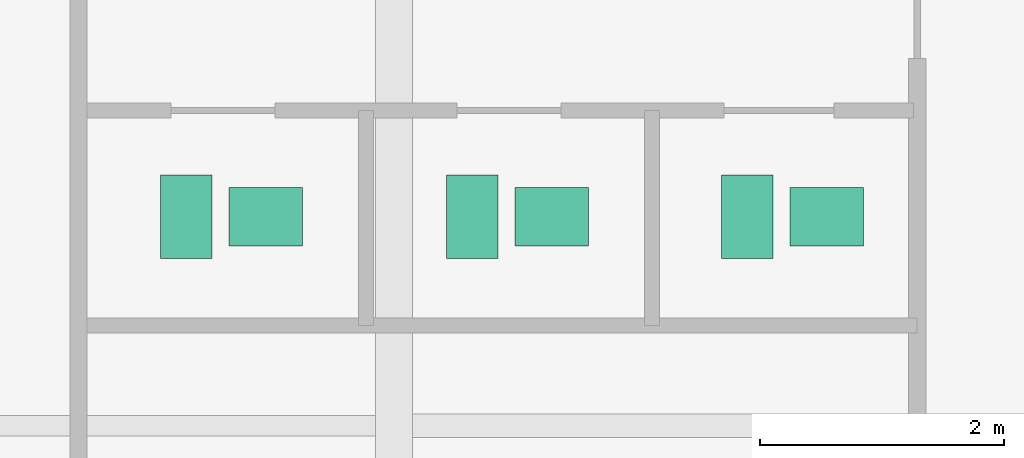
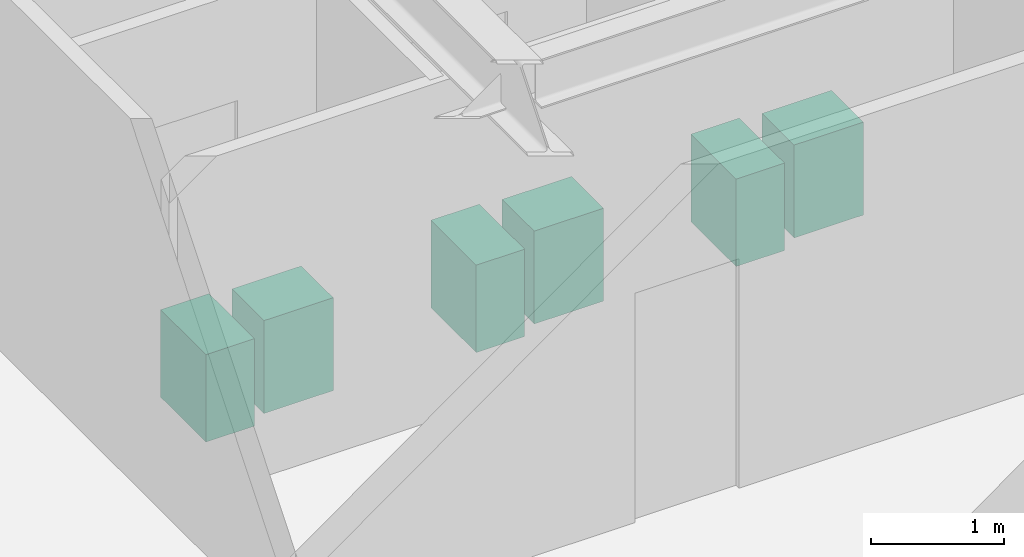
# One storey, part 24 of 24: 6 sanitary terminals.
"""IFC4 building model written with IfcOpenShell, lengths in metres."""

import ifcopenshell
import ifcopenshell.guid

model = None  # the IFC model being written
_history = None  # IfcOwnerHistory: only IFC2X3 demands one
_inside = {}  # id of a spatial element -> (the spatial element, [elements in it])
_under = {}  # id of a project, library or spatial element -> (it, [spatial elements below it])
_declared = {}  # id of a project -> (the project, [libraries it declares])
_typed = {}  # id of a type object -> (the type object, [elements of that type])
_made_of = {}  # id of a material, layer set ... -> (it, [elements and type objects made of it])


def new_model(schema):
    """Start an empty IFC model of exactly this schema.

    Asked for "IFC4X3", IfcOpenShell would pick the latest addendum, in which some entities
    have other attributes; the version numbers below select the first issue.
    IFC2X3 requires an IfcOwnerHistory on every rooted entity: one is made here for all.
    """
    global model, _history
    if schema == "IFC4X3":
        model = ifcopenshell.file(schema_version=(4, 3, 0, 0))
    else:
        model = ifcopenshell.file(schema=schema)
    _inside.clear()
    _under.clear()
    _declared.clear()
    _typed.clear()
    _made_of.clear()
    _history = None
    if model.schema == "IFC2X3":
        org = make("IfcOrganization", Name="unknown")
        user = make(
            "IfcPersonAndOrganization",
            ThePerson=make("IfcPerson", FamilyName="unknown"),
            TheOrganization=org,
        )
        app = make(
            "IfcApplication",
            ApplicationDeveloper=org,
            Version="unknown",
            ApplicationFullName="unknown",
            ApplicationIdentifier="unknown",
        )
        _history = make(
            "IfcOwnerHistory",
            OwningUser=user,
            OwningApplication=app,
            ChangeAction="ADDED",
            CreationDate=0,
        )
    return model


def make(cls, **values):
    """One entity of the class cls with the attributes given. An attribute that is None is left unset."""
    return model.create_entity(
        cls, **{name: value for name, value in values.items() if value is not None}
    )


def rooted(cls, **values):
    """An entity with a GlobalId (a new one), such as an element, a storey or a relation."""
    return make(cls, GlobalId=ifcopenshell.guid.new(), OwnerHistory=_history, **values)


def si_unit(unit_type, name, prefix=None):
    """IfcSIUnit, for example si_unit("LENGTHUNIT", "METRE", prefix="MILLI")."""
    return make("IfcSIUnit", UnitType=unit_type, Prefix=prefix, Name=name)


def assignment(units):
    """IfcUnitAssignment: the units of a project."""
    return None if units is None else make("IfcUnitAssignment", Units=units)


def point(xyz):
    """IfcCartesianPoint."""
    return None if xyz is None else make("IfcCartesianPoint", Coordinates=xyz)


def direction(xyz):
    """IfcDirection."""
    return None if xyz is None else make("IfcDirection", DirectionRatios=xyz)


def frame(location, z_axis=None, x_axis=None):
    """IfcAxis2Placement3D, a coordinate frame: its origin and axes. An axis left out is left unset."""
    return make(
        "IfcAxis2Placement3D",
        Location=point(location),
        Axis=direction(z_axis),
        RefDirection=direction(x_axis),
    )


def frame_2d(location, x_axis=None):
    """IfcAxis2Placement2D, a coordinate frame in the plane: its origin and x axis."""
    return make(
        "IfcAxis2Placement2D", Location=point(location), RefDirection=direction(x_axis)
    )


def origin():
    """The frame at (0, 0, 0) with its axes left unset."""
    return frame((0.0, 0.0, 0.0))


def origin_2d():
    """The frame at (0, 0) in the plane with its x axis left unset."""
    return frame_2d((0.0, 0.0))


def place(relative_to, where):
    """IfcLocalPlacement: puts the frame where relative to a parent placement (None: the world)."""
    return make(
        "IfcLocalPlacement", PlacementRelTo=relative_to, RelativePlacement=where
    )


def context(
    kind, dimensions, precision=None, world=None, true_north=None, identifier=None
):
    """IfcGeometricRepresentationContext, for example the 3D "Model" context."""
    return make(
        "IfcGeometricRepresentationContext",
        ContextIdentifier=identifier,
        ContextType=kind,
        CoordinateSpaceDimension=dimensions,
        Precision=precision,
        WorldCoordinateSystem=world,
        TrueNorth=true_north,
    )


def subcontext(parent, identifier, kind, view, scale=None):
    """IfcGeometricRepresentationSubContext, for example "Body" below "Model"."""
    return make(
        "IfcGeometricRepresentationSubContext",
        ContextIdentifier=identifier,
        ContextType=kind,
        ParentContext=parent,
        TargetScale=scale,
        TargetView=view,
    )


def project(units=None, contexts=None):
    """IfcProject with its units and contexts."""
    return rooted(
        "IfcProject",
        Name="project",
        RepresentationContexts=contexts,
        UnitsInContext=assignment(units),
    )


def spatial(cls, under=None, at=None, **own):
    """A site, building, storey or space (cls), placed at a placement, below another one or the project."""
    s = rooted(cls, ObjectPlacement=at, **own)
    if under is not None:
        _under.setdefault(under.id(), (under, []))[1].append(s)
    return s


def profile(cls, at=None, kind="AREA", **sizes):
    """A parametric profile (cls). Its sizes go by their IFC names, for example OverallWidth=200.0."""
    return make(cls, ProfileType=kind, Position=at, **sizes)


def rectangle(**sizes):
    """IfcRectangleProfileDef."""
    return profile("IfcRectangleProfileDef", **sizes)


def extrude(swept, where, along, depth):
    """IfcExtrudedAreaSolid: the profile swept, set in the frame where, extruded along a direction by depth."""
    return make(
        "IfcExtrudedAreaSolid",
        SweptArea=swept,
        Position=where,
        ExtrudedDirection=direction(along),
        Depth=depth,
    )


def shape(context_of_items, identifier, shape_type, items):
    """IfcShapeRepresentation: the items that make up one representation, for example the "Body"."""
    return make(
        "IfcShapeRepresentation",
        ContextOfItems=context_of_items,
        RepresentationIdentifier=identifier,
        RepresentationType=shape_type,
        Items=items,
    )


def source(mapping_origin, context_of_items, identifier, shape_type, items):
    """IfcRepresentationMap: a shape defined once, which mapped items show again and again."""
    return make(
        "IfcRepresentationMap",
        MappingOrigin=mapping_origin,
        MappedRepresentation=shape(context_of_items, identifier, shape_type, items),
    )


def transform(
    local_origin,
    x_axis=None,
    y_axis=None,
    z_axis=None,
    scale=None,
    scale2=None,
    scale3=None,
    uniform=True,
):
    """IfcCartesianTransformationOperator3D, or its non-uniform kind. x_axis, y_axis, z_axis: its Axis1, 2, 3."""
    if uniform:
        return make(
            "IfcCartesianTransformationOperator3D",
            Axis1=direction(x_axis),
            Axis2=direction(y_axis),
            LocalOrigin=point(local_origin),
            Scale=scale,
            Axis3=direction(z_axis),
        )
    return make(
        "IfcCartesianTransformationOperator3DnonUniform",
        Axis1=direction(x_axis),
        Axis2=direction(y_axis),
        LocalOrigin=point(local_origin),
        Scale=scale,
        Axis3=direction(z_axis),
        Scale2=scale2,
        Scale3=scale3,
    )


def mapped(mapping_source, mapping_target):
    """IfcMappedItem: shows the shape of a source again, moved by a transform."""
    return make(
        "IfcMappedItem", MappingSource=mapping_source, MappingTarget=mapping_target
    )


def material(Name=None, Category=None):
    """IfcMaterial."""
    return make("IfcMaterial", Name=Name, Category=Category)


def made_of(thing, what):
    """Note that an element or type object is made of a material, layer set ...; save() writes the relation."""
    if what is not None:
        _made_of.setdefault(what.id(), (what, []))[1].append(thing)
    return thing


def type_object(cls, material=None, **own):
    """A type object (cls), such as IfcWallType, which elements share."""
    return made_of(rooted(cls, **own), material)


def type_shapes(of_type, sources):
    """Give a type object the sources (RepresentationMaps) that its elements show as mapped items."""
    of_type.RepresentationMaps = sources


def element(
    cls,
    number,
    at=None,
    inside=None,
    cuts=None,
    type_object=None,
    material=None,
    context=None,
    identifier="Body",
    shape_type=None,
    held_by="IfcProductDefinitionShape",
    body=None,
    shapes=None,
    **own,
):
    """One element of the class cls, such as IfcWall. Its Tag is "e" and its number.

    at: its placement. inside: the storey or other place that contains it. cuts: it is an
    opening in that element (IfcRelVoidsElement). A single representation is given by context,
    identifier, shape_type and body (its items); several are given by shapes. held_by: the class
    of the entity that holds the representations. save() writes the other relations.
    """
    e = rooted(cls, Tag="e%d" % number, ObjectPlacement=at, **own)
    if body is not None:
        shapes = [shape(context, identifier, shape_type, body)]
    if shapes is not None:
        e.Representation = make(held_by, Representations=shapes)
    if inside is not None:
        _inside.setdefault(inside.id(), (inside, []))[1].append(e)
    if cuts is not None:
        rooted(
            "IfcRelVoidsElement", RelatingBuildingElement=cuts, RelatedOpeningElement=e
        )
    if type_object is not None:
        _typed.setdefault(type_object.id(), (type_object, []))[1].append(e)
    return made_of(e, material)


def aggregate(whole, parts):
    """IfcRelAggregates: a whole, such as a stair, and the parts it consists of."""
    return rooted("IfcRelAggregates", RelatingObject=whole, RelatedObjects=parts)


def save(model, path):
    """Write the relations noted so far, then the file.

    IfcRelAggregates (storeys below a building ...), IfcRelContainedInSpatialStructure (elements
    in a storey), IfcRelDefinesByType, IfcRelAssociatesMaterial and IfcRelDeclares: one each for
    every whole, place, type object, material and project.
    """
    for whole, parts in _under.values():
        aggregate(whole, parts)
    for where, things in _inside.values():
        rooted(
            "IfcRelContainedInSpatialStructure",
            RelatedElements=things,
            RelatingStructure=where,
        )
    for kind, things in _typed.values():
        rooted("IfcRelDefinesByType", RelatedObjects=things, RelatingType=kind)
    for what, things in _made_of.values():
        rooted("IfcRelAssociatesMaterial", RelatedObjects=things, RelatingMaterial=what)
    for by, libraries in _declared.values():
        rooted("IfcRelDeclares", RelatingContext=by, RelatedDefinitions=libraries)
    model.write(path)


model = new_model("IFC4")

# Units and contexts
model_context = context("Model", 3, precision=1e-05, world=origin(), true_north=direction((0.0, 1.0)))
body_context = subcontext(model_context, "Body", "Model", "MODEL_VIEW")
ifc_project = project(units=[si_unit("LENGTHUNIT", "METRE"), si_unit("AREAUNIT", "SQUARE_METRE"), si_unit("VOLUMEUNIT", "CUBIC_METRE"), si_unit("PLANEANGLEUNIT", "RADIAN"), si_unit("MASSUNIT", "GRAM", prefix="KILO")], contexts=[model_context])

# Site, building, storey
site_placement = place(None, origin())
site = spatial("IfcSite", under=ifc_project, at=site_placement, CompositionType="ELEMENT")
building_placement = place(site_placement, origin())
building = spatial("IfcBuilding", under=site, at=building_placement, Name="Krantzveldt Concourse Tower", CompositionType="ELEMENT")
storey_placement = place(building_placement, frame((0.0, 0.0, 165.949951171875)))
storey = spatial("IfcBuildingStorey", under=building, at=storey_placement, Name="L40", CompositionType="ELEMENT", Elevation=165.949951171875)

# Sanitary terminals
ifc_material = material(Name="Vitreous china", Category="ceramic")
sanitary_terminal_type_1 = type_object("IfcSanitaryTerminalType", Name="SAN-WC-SUITE", PredefinedType="TOILETPAN", material=ifc_material)
shared_shape_1 = source(origin(), body_context, "Body", "SweptSolid", [
    extrude(rectangle(XDim=0.419921875, YDim=0.679931640625, at=origin_2d()), origin(), (0.0, 0.0, 1.0), 0.800048828125),
])
type_shapes(sanitary_terminal_type_1, [shared_shape_1])
for number, where, z_axis, x_axis, name in (
    (1, (28.89990234375, 31.909912109375, 0.0), (0.0, 0.0, 1.0), (1.0, 0.0, 0.0), "WC-SP-L40-WCM"),
    (2, (31.239990234375, 31.909912109375, 0.0), (0.0, 0.0, 1.0), (1.0, 0.0, 0.0), "WC-SP-L40-WCF"),
    (3, (33.489990234375, 31.909912109375, 0.0), (0.0, 0.0, 1.0), (1.0, 0.0, 0.0), "WC-SP-L40-WCA"),
):
    element("IfcSanitaryTerminal", number, at=place(storey_placement, frame(where, z_axis=z_axis, x_axis=x_axis)), inside=storey, type_object=sanitary_terminal_type_1, Name=name, PredefinedType="TOILETPAN", context=body_context, shape_type="MappedRepresentation", body=[
        mapped(shared_shape_1, transform((0.0, 0.0, 0.0), x_axis=(1.0, 0.0, 0.0), y_axis=(0.0, 1.0, 0.0), z_axis=(0.0, 0.0, 1.0), scale=1.0)),
    ])
sanitary_terminal_type_2 = type_object("IfcSanitaryTerminalType", Name="SAN-BASIN-600", PredefinedType="WASHHANDBASIN", material=ifc_material)
shared_shape_2 = source(origin(), body_context, "Body", "SweptSolid", [
    extrude(rectangle(XDim=0.60009765625, YDim=0.47998046875, at=origin_2d()), origin(), (0.0, 0.0, 1.0), 0.85009765625),
])
type_shapes(sanitary_terminal_type_2, [shared_shape_2])
for number, where, z_axis, x_axis, name in (
    (4, (29.550048828125, 31.909912109375, 0.0048828125), (0.0, 0.0, 1.0), (1.0, 0.0, 0.0), "BSN-SP-L40-WCM"),
    (5, (31.889892578125, 31.909912109375, 0.0048828125), (0.0, 0.0, 1.0), (1.0, 0.0, 0.0), "BSN-SP-L40-WCF"),
    (6, (34.139892578125, 31.909912109375, 0.0048828125), (0.0, 0.0, 1.0), (1.0, 0.0, 0.0), "BSN-SP-L40-WCA"),
):
    element("IfcSanitaryTerminal", number, at=place(storey_placement, frame(where, z_axis=z_axis, x_axis=x_axis)), inside=storey, type_object=sanitary_terminal_type_2, Name=name, PredefinedType="WASHHANDBASIN", context=body_context, shape_type="MappedRepresentation", body=[
        mapped(shared_shape_2, transform((0.0, 0.0, 0.0), x_axis=(1.0, 0.0, 0.0), y_axis=(0.0, 1.0, 0.0), z_axis=(0.0, 0.0, 1.0), scale=1.0)),
    ])

save(model, "model.ifc")
